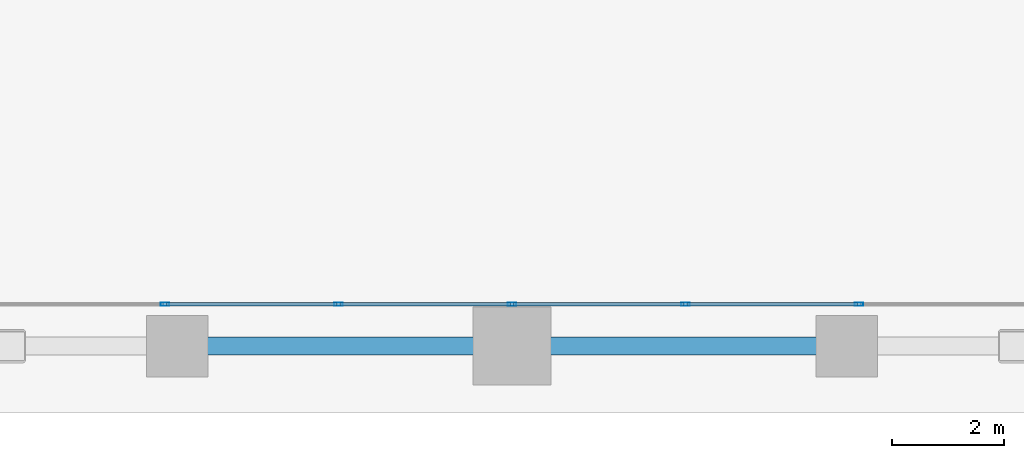
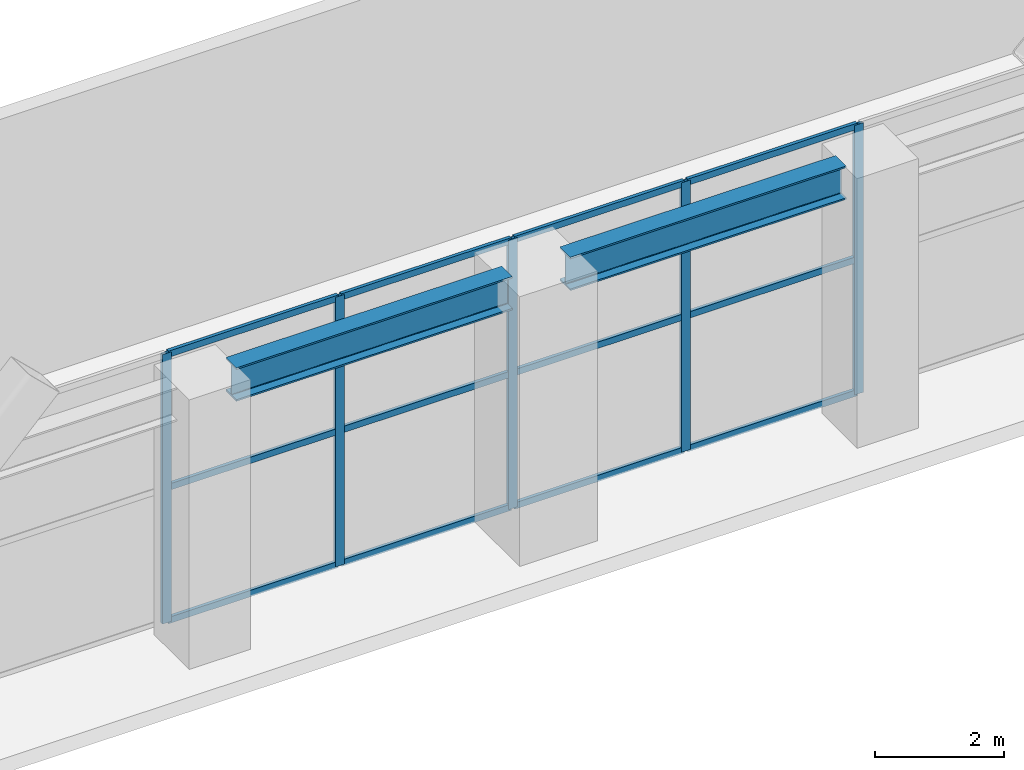
# One storey, part 6 of 28: 17 members, 2 beams, 1 element without a shape of its own.
"""IFC4 building model written with IfcOpenShell, lengths in metres."""

import ifcopenshell
import ifcopenshell.guid

model = None  # the IFC model being written
_history = None  # IfcOwnerHistory: only IFC2X3 demands one
_inside = {}  # id of a spatial element -> (the spatial element, [elements in it])
_under = {}  # id of a project, library or spatial element -> (it, [spatial elements below it])
_declared = {}  # id of a project -> (the project, [libraries it declares])
_typed = {}  # id of a type object -> (the type object, [elements of that type])
_made_of = {}  # id of a material, layer set ... -> (it, [elements and type objects made of it])


def new_model(schema):
    """Start an empty IFC model of exactly this schema.

    Asked for "IFC4X3", IfcOpenShell would pick the latest addendum, in which some entities
    have other attributes; the version numbers below select the first issue.
    IFC2X3 requires an IfcOwnerHistory on every rooted entity: one is made here for all.
    """
    global model, _history
    if schema == "IFC4X3":
        model = ifcopenshell.file(schema_version=(4, 3, 0, 0))
    else:
        model = ifcopenshell.file(schema=schema)
    _inside.clear()
    _under.clear()
    _declared.clear()
    _typed.clear()
    _made_of.clear()
    _history = None
    if model.schema == "IFC2X3":
        org = make("IfcOrganization", Name="unknown")
        user = make(
            "IfcPersonAndOrganization",
            ThePerson=make("IfcPerson", FamilyName="unknown"),
            TheOrganization=org,
        )
        app = make(
            "IfcApplication",
            ApplicationDeveloper=org,
            Version="unknown",
            ApplicationFullName="unknown",
            ApplicationIdentifier="unknown",
        )
        _history = make(
            "IfcOwnerHistory",
            OwningUser=user,
            OwningApplication=app,
            ChangeAction="ADDED",
            CreationDate=0,
        )
    return model


def make(cls, **values):
    """One entity of the class cls with the attributes given. An attribute that is None is left unset."""
    return model.create_entity(
        cls, **{name: value for name, value in values.items() if value is not None}
    )


def rooted(cls, **values):
    """An entity with a GlobalId (a new one), such as an element, a storey or a relation."""
    return make(cls, GlobalId=ifcopenshell.guid.new(), OwnerHistory=_history, **values)


def si_unit(unit_type, name, prefix=None):
    """IfcSIUnit, for example si_unit("LENGTHUNIT", "METRE", prefix="MILLI")."""
    return make("IfcSIUnit", UnitType=unit_type, Prefix=prefix, Name=name)


def assignment(units):
    """IfcUnitAssignment: the units of a project."""
    return None if units is None else make("IfcUnitAssignment", Units=units)


def point(xyz):
    """IfcCartesianPoint."""
    return None if xyz is None else make("IfcCartesianPoint", Coordinates=xyz)


def direction(xyz):
    """IfcDirection."""
    return None if xyz is None else make("IfcDirection", DirectionRatios=xyz)


def frame(location, z_axis=None, x_axis=None):
    """IfcAxis2Placement3D, a coordinate frame: its origin and axes. An axis left out is left unset."""
    return make(
        "IfcAxis2Placement3D",
        Location=point(location),
        Axis=direction(z_axis),
        RefDirection=direction(x_axis),
    )


def frame_2d(location, x_axis=None):
    """IfcAxis2Placement2D, a coordinate frame in the plane: its origin and x axis."""
    return make(
        "IfcAxis2Placement2D", Location=point(location), RefDirection=direction(x_axis)
    )


def origin():
    """The frame at (0, 0, 0) with its axes left unset."""
    return frame((0.0, 0.0, 0.0))


def origin_2d():
    """The frame at (0, 0) in the plane with its x axis left unset."""
    return frame_2d((0.0, 0.0))


def place(relative_to, where):
    """IfcLocalPlacement: puts the frame where relative to a parent placement (None: the world)."""
    return make(
        "IfcLocalPlacement", PlacementRelTo=relative_to, RelativePlacement=where
    )


def context(
    kind, dimensions, precision=None, world=None, true_north=None, identifier=None
):
    """IfcGeometricRepresentationContext, for example the 3D "Model" context."""
    return make(
        "IfcGeometricRepresentationContext",
        ContextIdentifier=identifier,
        ContextType=kind,
        CoordinateSpaceDimension=dimensions,
        Precision=precision,
        WorldCoordinateSystem=world,
        TrueNorth=true_north,
    )


def subcontext(parent, identifier, kind, view, scale=None):
    """IfcGeometricRepresentationSubContext, for example "Body" below "Model"."""
    return make(
        "IfcGeometricRepresentationSubContext",
        ContextIdentifier=identifier,
        ContextType=kind,
        ParentContext=parent,
        TargetScale=scale,
        TargetView=view,
    )


def project(units=None, contexts=None):
    """IfcProject with its units and contexts."""
    return rooted(
        "IfcProject",
        Name="project",
        RepresentationContexts=contexts,
        UnitsInContext=assignment(units),
    )


def spatial(cls, under=None, at=None, **own):
    """A site, building, storey or space (cls), placed at a placement, below another one or the project."""
    s = rooted(cls, ObjectPlacement=at, **own)
    if under is not None:
        _under.setdefault(under.id(), (under, []))[1].append(s)
    return s


def profile(cls, at=None, kind="AREA", **sizes):
    """A parametric profile (cls). Its sizes go by their IFC names, for example OverallWidth=200.0."""
    return make(cls, ProfileType=kind, Position=at, **sizes)


def hollow_rectangle(**sizes):
    """IfcRectangleHollowProfileDef."""
    return profile("IfcRectangleHollowProfileDef", **sizes)


def i_section(**sizes):
    """IfcIShapeProfileDef."""
    return profile("IfcIShapeProfileDef", **sizes)


def extrude(swept, where, along, depth):
    """IfcExtrudedAreaSolid: the profile swept, set in the frame where, extruded along a direction by depth."""
    return make(
        "IfcExtrudedAreaSolid",
        SweptArea=swept,
        Position=where,
        ExtrudedDirection=direction(along),
        Depth=depth,
    )


def shape(context_of_items, identifier, shape_type, items):
    """IfcShapeRepresentation: the items that make up one representation, for example the "Body"."""
    return make(
        "IfcShapeRepresentation",
        ContextOfItems=context_of_items,
        RepresentationIdentifier=identifier,
        RepresentationType=shape_type,
        Items=items,
    )


def material(Name=None, Category=None):
    """IfcMaterial."""
    return make("IfcMaterial", Name=Name, Category=Category)


def layer(
    of_material, thickness, ventilated=None, Name=None, Category=None, Priority=None
):
    """IfcMaterialLayer: one layer of a wall or slab, of a material (None: an air gap)."""
    return make(
        "IfcMaterialLayer",
        Material=of_material,
        LayerThickness=thickness,
        IsVentilated=ventilated,
        Name=Name,
        Category=Category,
        Priority=Priority,
    )


def layer_set(layers, Name=None):
    """IfcMaterialLayerSet."""
    return make("IfcMaterialLayerSet", MaterialLayers=layers, LayerSetName=Name)


def material_profile(
    of_material, cross_section, Name=None, Category=None, Priority=None
):
    """IfcMaterialProfile: a cross section and its material."""
    return make(
        "IfcMaterialProfile",
        Name=Name,
        Material=of_material,
        Profile=cross_section,
        Priority=Priority,
        Category=Category,
    )


def profile_set(profiles, Name=None, composite=None):
    """IfcMaterialProfileSet."""
    return make(
        "IfcMaterialProfileSet",
        Name=Name,
        MaterialProfiles=profiles,
        CompositeProfile=composite,
    )


def made_of(thing, what):
    """Note that an element or type object is made of a material, layer set ...; save() writes the relation."""
    if what is not None:
        _made_of.setdefault(what.id(), (what, []))[1].append(thing)
    return thing


def type_object(cls, material=None, **own):
    """A type object (cls), such as IfcWallType, which elements share."""
    return made_of(rooted(cls, **own), material)


def element(
    cls,
    number,
    at=None,
    inside=None,
    cuts=None,
    type_object=None,
    material=None,
    context=None,
    identifier="Body",
    shape_type=None,
    held_by="IfcProductDefinitionShape",
    body=None,
    shapes=None,
    **own,
):
    """One element of the class cls, such as IfcWall. Its Tag is "e" and its number.

    at: its placement. inside: the storey or other place that contains it. cuts: it is an
    opening in that element (IfcRelVoidsElement). A single representation is given by context,
    identifier, shape_type and body (its items); several are given by shapes. held_by: the class
    of the entity that holds the representations. save() writes the other relations.
    """
    e = rooted(cls, Tag="e%d" % number, ObjectPlacement=at, **own)
    if body is not None:
        shapes = [shape(context, identifier, shape_type, body)]
    if shapes is not None:
        e.Representation = make(held_by, Representations=shapes)
    if inside is not None:
        _inside.setdefault(inside.id(), (inside, []))[1].append(e)
    if cuts is not None:
        rooted(
            "IfcRelVoidsElement", RelatingBuildingElement=cuts, RelatedOpeningElement=e
        )
    if type_object is not None:
        _typed.setdefault(type_object.id(), (type_object, []))[1].append(e)
    return made_of(e, material)


def aggregate(whole, parts):
    """IfcRelAggregates: a whole, such as a stair, and the parts it consists of."""
    return rooted("IfcRelAggregates", RelatingObject=whole, RelatedObjects=parts)


def save(model, path):
    """Write the relations noted so far, then the file.

    IfcRelAggregates (storeys below a building ...), IfcRelContainedInSpatialStructure (elements
    in a storey), IfcRelDefinesByType, IfcRelAssociatesMaterial and IfcRelDeclares: one each for
    every whole, place, type object, material and project.
    """
    for whole, parts in _under.values():
        aggregate(whole, parts)
    for where, things in _inside.values():
        rooted(
            "IfcRelContainedInSpatialStructure",
            RelatedElements=things,
            RelatingStructure=where,
        )
    for kind, things in _typed.values():
        rooted("IfcRelDefinesByType", RelatedObjects=things, RelatingType=kind)
    for what, things in _made_of.values():
        rooted("IfcRelAssociatesMaterial", RelatedObjects=things, RelatingMaterial=what)
    for by, libraries in _declared.values():
        rooted("IfcRelDeclares", RelatingContext=by, RelatedDefinitions=libraries)
    model.write(path)


model = new_model("IFC4")

# Units and contexts
model_context = context("Model", 3, precision=1e-05, world=origin(), true_north=direction((0.0, 1.0)))
body_context = subcontext(model_context, "Body", "Model", "MODEL_VIEW")
ifc_project = project(units=[si_unit("LENGTHUNIT", "METRE"), si_unit("AREAUNIT", "SQUARE_METRE"), si_unit("VOLUMEUNIT", "CUBIC_METRE"), si_unit("PLANEANGLEUNIT", "RADIAN"), si_unit("MASSUNIT", "GRAM", prefix="KILO")], contexts=[model_context])

# Site, building, storey
site_placement = place(None, origin())
site = spatial("IfcSite", under=ifc_project, at=site_placement, CompositionType="ELEMENT")
building_placement = place(site_placement, origin())
building = spatial("IfcBuilding", under=site, at=building_placement, Name="Sarneth Arch Tower", CompositionType="ELEMENT")
storey_placement = place(building_placement, frame((0.0, 0.0, 6.0)))
storey = spatial("IfcBuildingStorey", under=building, at=storey_placement, Name="L01", CompositionType="ELEMENT", Elevation=6.0)

# Beams
ifc_material_1 = material(Name="Steel S355", Category="steel")
ifc_material_profile_1 = material_profile(ifc_material_1, i_section(OverallWidth=0.3291015625, OverallDepth=0.635009765625, WebThickness=0.017822265625, FlangeThickness=0.031005859375, FilletRadius=0.01904296875, at=origin_2d()), Name="W610x241")
ifc_profile_set_1 = profile_set([ifc_material_profile_1], Name="Steel S355")
beam_type = type_object("IfcBeamType", Name="BM-POD-610", PredefinedType="BEAM", material=ifc_profile_set_1)
for number, where, z_axis, x_axis, name in (
    (1, (42.52001953125, 9.199951171875, 4.802490234375), (1.0, 0.0, 0.0), (0.0, 1.0, 0.0), "L01 Podium PS girder 4"),
    (2, (48.52001953125, 9.199951171875, 4.802490234375), (1.0, 0.0, 0.0), (0.0, 1.0, 0.0), "L01 Podium PS girder 5"),
):
    element("IfcBeam", number, at=place(storey_placement, frame(where, z_axis=z_axis, x_axis=x_axis)), inside=storey, type_object=beam_type, Name=name, PredefinedType="BEAM", context=body_context, shape_type="SweptSolid", body=[
        extrude(i_section(OverallWidth=0.3291015625, OverallDepth=0.635009765625, WebThickness=0.017822265625, FlangeThickness=0.031005859375, FilletRadius=0.01904296875, at=origin_2d()), origin(), (0.0, 0.0, 1.0), 4.9599609375),
    ])

# Curtain wall, members
ifc_material_2 = material(Name="Anodised aluminium Type AA25 and solar-control low-e laminated IGU", Category="aluminium")
ifc_layer = layer(ifc_material_2, 0.199951171875)
ifc_layer_set = layer_set([ifc_layer], Name="Anodised aluminium Type AA25 and solar-control low-e laminated IGU")
curtain_wall_type = type_object("IfcCurtainWallType", Name="CW-ARCH-GLAZE", PredefinedType="NOTDEFINED", material=ifc_layer_set)
curtain_wall_placement = place(storey_placement, origin())
curtain_wall = element("IfcCurtainWall", 3, at=curtain_wall_placement, inside=storey, type_object=curtain_wall_type, Name="L01 South parabolic arch portal curtain wall", PredefinedType="NOTDEFINED")
ifc_material_3 = material(Name="Anodised Aluminium 6063-T6", Category="aluminium")
ifc_material_profile_2 = material_profile(ifc_material_3, hollow_rectangle(XDim=0.06005859375, YDim=0.159912109375, WallThickness=0.00390625, at=origin_2d()), Name="AL-MULL-160x60x4")
ifc_profile_set_2 = profile_set([ifc_material_profile_2], Name="Anodised Aluminium 6063-T6")
member_type_1 = type_object("IfcMemberType", Name="CW-MULLION", PredefinedType="MULLION", material=ifc_profile_set_2)
member_1_placement = place(storey_placement, frame((41.783447265625, 9.949951171875, 0.0), z_axis=(0.0, 0.0, 1.0), x_axis=(0.0, 1.0, 0.0)))
member_1 = element("IfcMember", 4, at=member_1_placement, type_object=member_type_1, Name="CW-SYS-2 mullion 5", PredefinedType="MULLION", context=body_context, shape_type="SweptSolid", body=[
    extrude(hollow_rectangle(XDim=0.06005859375, YDim=0.159912109375, WallThickness=0.00390625, at=origin_2d()), origin(), (0.0, 0.0, 1.0), 5.1201171875),
])
member_2_placement = place(storey_placement, frame((44.8916015625, 9.949951171875, 0.0), z_axis=(0.0, 0.0, 1.0), x_axis=(0.0, 1.0, 0.0)))
member_2 = element("IfcMember", 5, at=member_2_placement, type_object=member_type_1, Name="CW-SYS-2 mullion 6", PredefinedType="MULLION", context=body_context, shape_type="SweptSolid", body=[
    extrude(hollow_rectangle(XDim=0.06005859375, YDim=0.159912109375, WallThickness=0.00390625, at=origin_2d()), origin(), (0.0, 0.0, 1.0), 5.1201171875),
])
member_3_placement = place(storey_placement, frame((48.0, 9.949951171875, 0.0), z_axis=(0.0, 0.0, 1.0), x_axis=(0.0, 1.0, 0.0)))
member_3 = element("IfcMember", 6, at=member_3_placement, type_object=member_type_1, Name="CW-SYS-2 mullion 7", PredefinedType="MULLION", context=body_context, shape_type="SweptSolid", body=[
    extrude(hollow_rectangle(XDim=0.06005859375, YDim=0.159912109375, WallThickness=0.00390625, at=origin_2d()), origin(), (0.0, 0.0, 1.0), 5.1201171875),
])
member_4_placement = place(storey_placement, frame((51.1083984375, 9.949951171875, 0.0), z_axis=(0.0, 0.0, 1.0), x_axis=(0.0, 1.0, 0.0)))
member_4 = element("IfcMember", 7, at=member_4_placement, type_object=member_type_1, Name="CW-SYS-2 mullion 8", PredefinedType="MULLION", context=body_context, shape_type="SweptSolid", body=[
    extrude(hollow_rectangle(XDim=0.06005859375, YDim=0.159912109375, WallThickness=0.00390625, at=origin_2d()), origin(), (0.0, 0.0, 1.0), 5.1201171875),
])
member_5_placement = place(storey_placement, frame((54.216552734375, 9.949951171875, 0.0), z_axis=(0.0, 0.0, 1.0), x_axis=(0.0, 1.0, 0.0)))
member_5 = element("IfcMember", 8, at=member_5_placement, type_object=member_type_1, Name="CW-SYS-2 mullion 9", PredefinedType="MULLION", context=body_context, shape_type="SweptSolid", body=[
    extrude(hollow_rectangle(XDim=0.06005859375, YDim=0.159912109375, WallThickness=0.00390625, at=origin_2d()), origin(), (0.0, 0.0, 1.0), 5.1201171875),
])
ifc_material_4 = material(Name="Anodised Aluminium 6063-T6", Category="aluminium")
ifc_material_profile_3 = material_profile(ifc_material_4, hollow_rectangle(XDim=0.06005859375, YDim=0.1201171875, WallThickness=0.00390625, at=origin_2d()), Name="AL-TRAN-120x60x4")
ifc_profile_set_3 = profile_set([ifc_material_profile_3], Name="Anodised Aluminium 6063-T6")
member_type_2 = type_object("IfcMemberType", Name="CW-TRANSOM", PredefinedType="USERDEFINED", material=ifc_profile_set_3)
member_6_placement = place(storey_placement, frame((41.813232421875, 9.949951171875, 0.030029296875), z_axis=(1.0, 0.0, 0.0), x_axis=(0.0, 1.0, 0.0)))
member_6 = element("IfcMember", 9, at=member_6_placement, type_object=member_type_2, Name="CW-SYS-2 transom 5.1", ObjectType="TRANSOM", PredefinedType="USERDEFINED", context=body_context, shape_type="SweptSolid", body=[
    extrude(hollow_rectangle(XDim=0.06005859375, YDim=0.1201171875, WallThickness=0.00390625, at=origin_2d()), origin(), (0.0, 0.0, 1.0), 3.04833984375),
])
member_7_placement = place(storey_placement, frame((41.813232421875, 9.949951171875, 2.56005859375), z_axis=(1.0, 0.0, 0.0), x_axis=(0.0, 1.0, 0.0)))
member_7 = element("IfcMember", 10, at=member_7_placement, type_object=member_type_2, Name="CW-SYS-2 transom 5.2", ObjectType="TRANSOM", PredefinedType="USERDEFINED", context=body_context, shape_type="SweptSolid", body=[
    extrude(hollow_rectangle(XDim=0.06005859375, YDim=0.1201171875, WallThickness=0.00390625, at=origin_2d()), origin(), (0.0, 0.0, 1.0), 3.04833984375),
])
member_8_placement = place(storey_placement, frame((41.813232421875, 9.949951171875, 5.090087890625), z_axis=(1.0, 0.0, 0.0), x_axis=(0.0, 1.0, 0.0)))
member_8 = element("IfcMember", 11, at=member_8_placement, type_object=member_type_2, Name="CW-SYS-2 transom 5.3", ObjectType="TRANSOM", PredefinedType="USERDEFINED", context=body_context, shape_type="SweptSolid", body=[
    extrude(hollow_rectangle(XDim=0.06005859375, YDim=0.1201171875, WallThickness=0.00390625, at=origin_2d()), origin(), (0.0, 0.0, 1.0), 3.04833984375),
])
member_9_placement = place(storey_placement, frame((44.921630859375, 9.949951171875, 0.030029296875), z_axis=(1.0, 0.0, 0.0), x_axis=(0.0, 1.0, 0.0)))
member_9 = element("IfcMember", 12, at=member_9_placement, type_object=member_type_2, Name="CW-SYS-2 transom 6.1", ObjectType="TRANSOM", PredefinedType="USERDEFINED", context=body_context, shape_type="SweptSolid", body=[
    extrude(hollow_rectangle(XDim=0.06005859375, YDim=0.1201171875, WallThickness=0.00390625, at=origin_2d()), origin(), (0.0, 0.0, 1.0), 3.04833984375),
])
member_10_placement = place(storey_placement, frame((44.921630859375, 9.949951171875, 2.56005859375), z_axis=(1.0, 0.0, 0.0), x_axis=(0.0, 1.0, 0.0)))
member_10 = element("IfcMember", 13, at=member_10_placement, type_object=member_type_2, Name="CW-SYS-2 transom 6.2", ObjectType="TRANSOM", PredefinedType="USERDEFINED", context=body_context, shape_type="SweptSolid", body=[
    extrude(hollow_rectangle(XDim=0.06005859375, YDim=0.1201171875, WallThickness=0.00390625, at=origin_2d()), origin(), (0.0, 0.0, 1.0), 3.04833984375),
])
member_11_placement = place(storey_placement, frame((44.921630859375, 9.949951171875, 5.090087890625), z_axis=(1.0, 0.0, 0.0), x_axis=(0.0, 1.0, 0.0)))
member_11 = element("IfcMember", 14, at=member_11_placement, type_object=member_type_2, Name="CW-SYS-2 transom 6.3", ObjectType="TRANSOM", PredefinedType="USERDEFINED", context=body_context, shape_type="SweptSolid", body=[
    extrude(hollow_rectangle(XDim=0.06005859375, YDim=0.1201171875, WallThickness=0.00390625, at=origin_2d()), origin(), (0.0, 0.0, 1.0), 3.04833984375),
])
member_12_placement = place(storey_placement, frame((48.030029296875, 9.949951171875, 0.030029296875), z_axis=(1.0, 0.0, 0.0), x_axis=(0.0, 1.0, 0.0)))
member_12 = element("IfcMember", 15, at=member_12_placement, type_object=member_type_2, Name="CW-SYS-2 transom 7.1", ObjectType="TRANSOM", PredefinedType="USERDEFINED", context=body_context, shape_type="SweptSolid", body=[
    extrude(hollow_rectangle(XDim=0.06005859375, YDim=0.1201171875, WallThickness=0.00390625, at=origin_2d()), origin(), (0.0, 0.0, 1.0), 3.04833984375),
])
member_13_placement = place(storey_placement, frame((48.030029296875, 9.949951171875, 2.56005859375), z_axis=(1.0, 0.0, 0.0), x_axis=(0.0, 1.0, 0.0)))
member_13 = element("IfcMember", 16, at=member_13_placement, type_object=member_type_2, Name="CW-SYS-2 transom 7.2", ObjectType="TRANSOM", PredefinedType="USERDEFINED", context=body_context, shape_type="SweptSolid", body=[
    extrude(hollow_rectangle(XDim=0.06005859375, YDim=0.1201171875, WallThickness=0.00390625, at=origin_2d()), origin(), (0.0, 0.0, 1.0), 3.04833984375),
])
member_14_placement = place(storey_placement, frame((48.030029296875, 9.949951171875, 5.090087890625), z_axis=(1.0, 0.0, 0.0), x_axis=(0.0, 1.0, 0.0)))
member_14 = element("IfcMember", 17, at=member_14_placement, type_object=member_type_2, Name="CW-SYS-2 transom 7.3", ObjectType="TRANSOM", PredefinedType="USERDEFINED", context=body_context, shape_type="SweptSolid", body=[
    extrude(hollow_rectangle(XDim=0.06005859375, YDim=0.1201171875, WallThickness=0.00390625, at=origin_2d()), origin(), (0.0, 0.0, 1.0), 3.04833984375),
])
member_15_placement = place(storey_placement, frame((51.138427734375, 9.949951171875, 0.030029296875), z_axis=(1.0, 0.0, 0.0), x_axis=(0.0, 1.0, 0.0)))
member_15 = element("IfcMember", 18, at=member_15_placement, type_object=member_type_2, Name="CW-SYS-2 transom 8.1", ObjectType="TRANSOM", PredefinedType="USERDEFINED", context=body_context, shape_type="SweptSolid", body=[
    extrude(hollow_rectangle(XDim=0.06005859375, YDim=0.1201171875, WallThickness=0.00390625, at=origin_2d()), origin(), (0.0, 0.0, 1.0), 3.04833984375),
])
member_16_placement = place(storey_placement, frame((51.138427734375, 9.949951171875, 2.56005859375), z_axis=(1.0, 0.0, 0.0), x_axis=(0.0, 1.0, 0.0)))
member_16 = element("IfcMember", 19, at=member_16_placement, type_object=member_type_2, Name="CW-SYS-2 transom 8.2", ObjectType="TRANSOM", PredefinedType="USERDEFINED", context=body_context, shape_type="SweptSolid", body=[
    extrude(hollow_rectangle(XDim=0.06005859375, YDim=0.1201171875, WallThickness=0.00390625, at=origin_2d()), origin(), (0.0, 0.0, 1.0), 3.04833984375),
])
member_17_placement = place(storey_placement, frame((51.138427734375, 9.949951171875, 5.090087890625), z_axis=(1.0, 0.0, 0.0), x_axis=(0.0, 1.0, 0.0)))
member_17 = element("IfcMember", 20, at=member_17_placement, type_object=member_type_2, Name="CW-SYS-2 transom 8.3", ObjectType="TRANSOM", PredefinedType="USERDEFINED", context=body_context, shape_type="SweptSolid", body=[
    extrude(hollow_rectangle(XDim=0.06005859375, YDim=0.1201171875, WallThickness=0.00390625, at=origin_2d()), origin(), (0.0, 0.0, 1.0), 3.04833984375),
])
aggregate(curtain_wall, [member_1, member_2, member_3, member_4, member_5, member_6, member_7, member_8, member_9, member_10, member_11, member_12, member_13, member_14, member_15, member_16, member_17])

save(model, "model.ifc")
